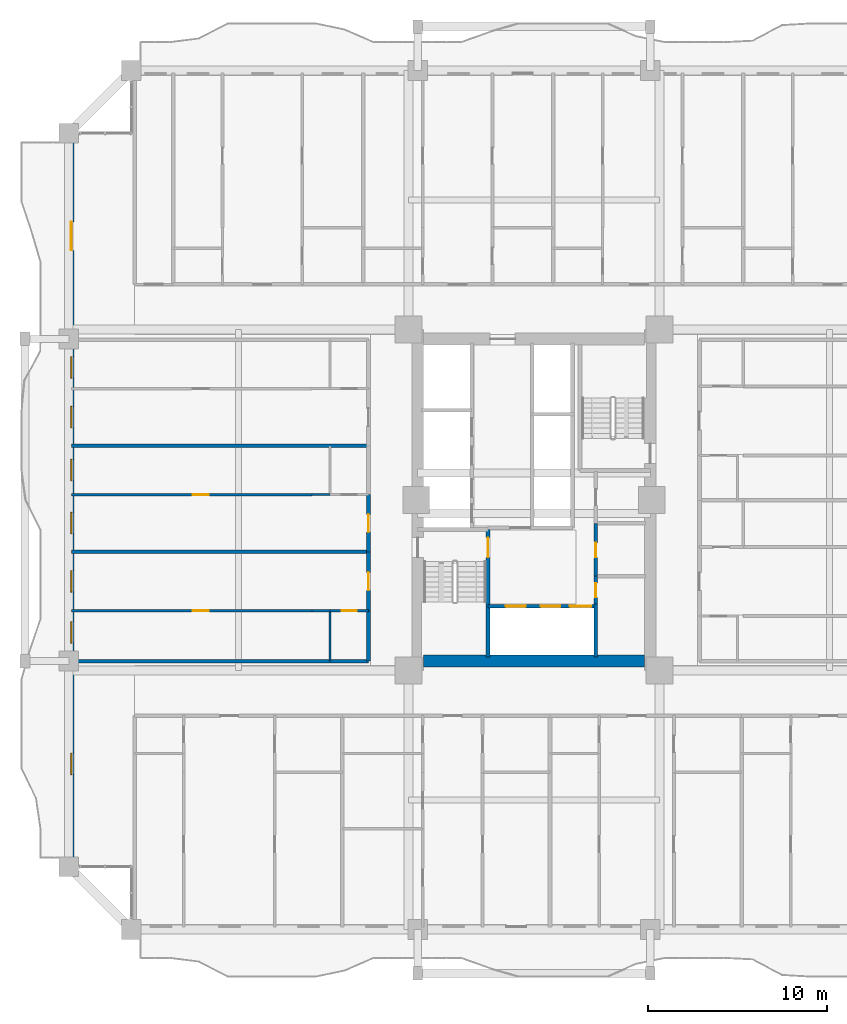
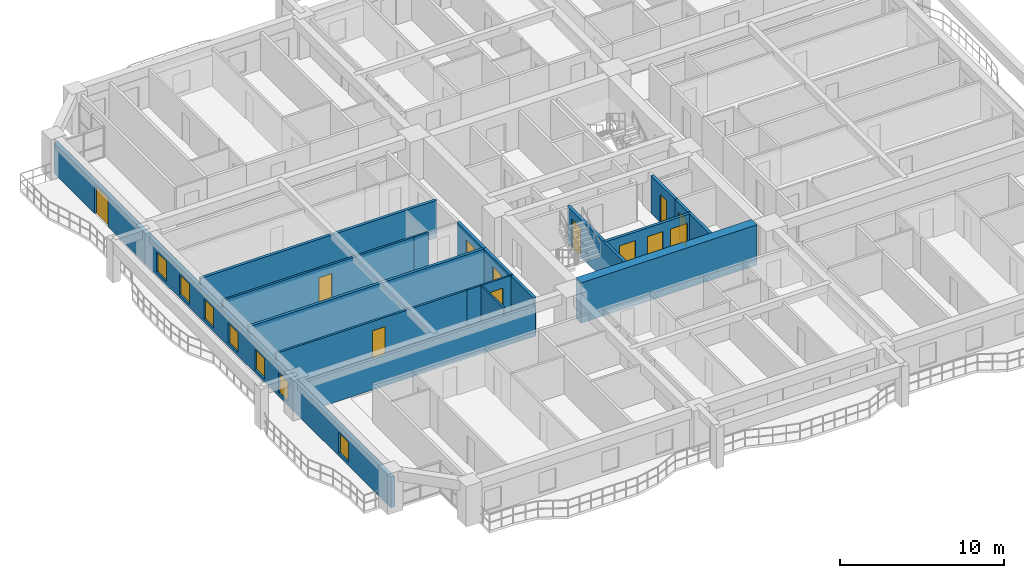
# One storey, part 15 of 27: 19 walls, 12 doors, 7 windows, 19 openings.
"""IFC4 building model written with IfcOpenShell, lengths in metres."""

from ifc_helpers import new_model, si_unit, direction, frame, frame_2d, origin, place, context, subcontext, project, spatial, rectangle, extrude, source, transform, mapped, material, layer, layer_set, type_object, element, fill, save


model = new_model("IFC4")

# Units and contexts
model_context = context("Model", 3, precision=1e-05, world=origin(), true_north=direction((0.0, 1.0)))
body_context = subcontext(model_context, "Body", "Model", "MODEL_VIEW")
ifc_project = project(units=[si_unit("LENGTHUNIT", "METRE"), si_unit("AREAUNIT", "SQUARE_METRE"), si_unit("VOLUMEUNIT", "CUBIC_METRE"), si_unit("PLANEANGLEUNIT", "RADIAN"), si_unit("MASSUNIT", "GRAM", prefix="KILO")], contexts=[model_context])

# Site, building, storey
site_placement = place(None, origin())
site = spatial("IfcSite", under=ifc_project, at=site_placement, CompositionType="ELEMENT")
building_placement = place(site_placement, origin())
building = spatial("IfcBuilding", under=site, at=building_placement, Name="Saelheon Loggia Tower", CompositionType="ELEMENT")
storey_placement = place(building_placement, frame((0.0, 0.0, 34.39990234375)))
storey = spatial("IfcBuildingStorey", under=building, at=storey_placement, Name="L10", CompositionType="ELEMENT", Elevation=34.39990234375)

# Wall
ifc_material_1 = material(Name="Concrete C60/75", Category="concrete")
ifc_layer_1 = layer(ifc_material_1, 0.64990234375)
ifc_layer_set_1 = layer_set([ifc_layer_1], Name="Concrete C60/75")
wall_type_1 = type_object("IfcWallType", Name="Wall_CoreShear_650", PredefinedType="SHEAR", material=ifc_layer_set_1)
wall_1_placement = place(storey_placement, frame((31.824951171875, 18.0, 0.0), z_axis=(0.0, 0.0, 1.0), x_axis=(1.0, 0.0, 0.0)))
element("IfcWall", 1, at=wall_1_placement, inside=storey, type_object=wall_type_1, Name="L10 Core Shear Wall South", PredefinedType="SHEAR", context=body_context, shape_type="SweptSolid", body=[
    extrude(rectangle(XDim=12.35009765625, YDim=0.64990234375, at=frame_2d((6.175048828125, 0.0))), origin(), (0.0, 0.0, 1.0), 3.0),
])

# Wall, openings, windows, door
ifc_material_2 = material(Name="Architectural Precast Concrete C40/50", Category="concrete")
ifc_layer_2 = layer(ifc_material_2, 0.280029296875)
ifc_layer_set_2 = layer_set([ifc_layer_2], Name="Architectural Precast Concrete C40/50")
wall_type_2 = type_object("IfcWallType", Name="Wall_Ext_Loggia_280", PredefinedType="SOLIDWALL", material=ifc_layer_set_2)
wall_2_placement = place(storey_placement, frame((12.139892578125, 6.5, 0.0), z_axis=(0.0, 0.0, 1.0), x_axis=(0.0, 1.0, 0.0)))
wall_2 = element("IfcWall", 2, at=wall_2_placement, inside=storey, type_object=wall_type_2, Name="L10 West Loggia Inner Wall", PredefinedType="SOLIDWALL", context=body_context, shape_type="SweptSolid", body=[
    extrude(rectangle(XDim=41.0, YDim=0.280029296875, at=frame_2d((20.5, 0.0))), origin(), (0.0, 0.0, 1.0), 2.280029296875),
])
opening_1_placement = place(wall_2_placement, frame((5.14990234375, 0.0, 0.25)))
opening_1 = element("IfcOpeningElement", 3, at=opening_1_placement, cuts=wall_2, Name="Opening WN-03", PredefinedType="OPENING", context=body_context, shape_type="SweptSolid", body=[
    extrude(rectangle(XDim=1.199951171875, YDim=1.5, at=frame_2d((0.60009765625, 0.75))), frame((0.0, 0.152099609375, 0.0), z_axis=(0.0, -1.0, 0.0), x_axis=(1.0, 0.0, 0.0)), (0.0, 0.0, 1.0), 0.303955078125),
])
opening_2_placement = place(wall_2_placement, frame((12.498779296875, 0.0, 0.25)))
opening_2 = element("IfcOpeningElement", 4, at=opening_2_placement, cuts=wall_2, Name="Opening WN-03", PredefinedType="OPENING", context=body_context, shape_type="SweptSolid", body=[
    extrude(rectangle(XDim=1.199951171875, YDim=1.5, at=frame_2d((0.60009765625, 0.75))), frame((0.0, 0.152099609375, 0.0), z_axis=(0.0, -1.0, 0.0), x_axis=(1.0, 0.0, 0.0)), (0.0, 0.0, 1.0), 0.303955078125),
])
opening_3_placement = place(wall_2_placement, frame((15.355224609375, 0.0, 0.25)))
opening_3 = element("IfcOpeningElement", 5, at=opening_3_placement, cuts=wall_2, Name="Opening WN-03", PredefinedType="OPENING", context=body_context, shape_type="SweptSolid", body=[
    extrude(rectangle(XDim=1.199951171875, YDim=1.5, at=frame_2d((0.60009765625, 0.75))), frame((0.0, 0.152099609375, 0.0), z_axis=(0.0, -1.0, 0.0), x_axis=(1.0, 0.0, 0.0)), (0.0, 0.0, 1.0), 0.303955078125),
])
opening_4_placement = place(wall_2_placement, frame((18.602294921875, 0.0, 0.25)))
opening_4 = element("IfcOpeningElement", 6, at=opening_4_placement, cuts=wall_2, Name="Opening WN-03", PredefinedType="OPENING", context=body_context, shape_type="SweptSolid", body=[
    extrude(rectangle(XDim=1.199951171875, YDim=1.5, at=frame_2d((0.60009765625, 0.75))), frame((0.0, 0.152099609375, 0.0), z_axis=(0.0, -1.0, 0.0), x_axis=(1.0, 0.0, 0.0)), (0.0, 0.0, 1.0), 0.303955078125),
])
opening_5_placement = place(wall_2_placement, frame((21.564208984375, 0.0, 0.25)))
opening_5 = element("IfcOpeningElement", 7, at=opening_5_placement, cuts=wall_2, Name="Opening WN-03", PredefinedType="OPENING", context=body_context, shape_type="SweptSolid", body=[
    extrude(rectangle(XDim=1.199951171875, YDim=1.5, at=frame_2d((0.60009765625, 0.75))), frame((0.0, 0.152099609375, 0.0), z_axis=(0.0, -1.0, 0.0), x_axis=(1.0, 0.0, 0.0)), (0.0, 0.0, 1.0), 0.303955078125),
])
opening_6_placement = place(wall_2_placement, frame((24.52587890625, 0.0, 0.25)))
opening_6 = element("IfcOpeningElement", 8, at=opening_6_placement, cuts=wall_2, Name="Opening WN-03", PredefinedType="OPENING", context=body_context, shape_type="SweptSolid", body=[
    extrude(rectangle(XDim=1.199951171875, YDim=1.5, at=frame_2d((0.60009765625, 0.75))), frame((0.0, 0.152099609375, 0.0), z_axis=(0.0, -1.0, 0.0), x_axis=(1.0, 0.0, 0.0)), (0.0, 0.0, 1.0), 0.303955078125),
])
opening_7_placement = place(wall_2_placement, frame((27.317626953125, 0.0, 0.25)))
opening_7 = element("IfcOpeningElement", 9, at=opening_7_placement, cuts=wall_2, Name="Opening WN-03", PredefinedType="OPENING", context=body_context, shape_type="SweptSolid", body=[
    extrude(rectangle(XDim=1.199951171875, YDim=1.5, at=frame_2d((0.60009765625, 0.75))), frame((0.0, 0.152099609375, 0.0), z_axis=(0.0, -1.0, 0.0), x_axis=(1.0, 0.0, 0.0)), (0.0, 0.0, 1.0), 0.303955078125),
])
opening_8_placement = place(wall_2_placement, frame((34.449951171875, 0.0, 0.0)))
opening_8 = element("IfcOpeningElement", 10, at=opening_8_placement, cuts=wall_2, Name="Opening DLG-1", PredefinedType="OPENING", context=body_context, shape_type="SweptSolid", body=[
    extrude(rectangle(XDim=1.60009765625, YDim=2.14990234375, at=frame_2d((0.800048828125, 1.074951171875))), frame((0.0, 0.152099609375, 0.0), z_axis=(0.0, -1.0, 0.0), x_axis=(1.0, 0.0, 0.0)), (0.0, 0.0, 1.0), 0.303955078125),
])
ifc_material_3 = material(Name="Thermal-Break Aluminium and Triple Low-E Glass", Category="aluminium")
window_type = type_object("IfcWindowType", Name="Win_Bedroom_1200x1500", PartitioningType="SINGLE_PANEL", PredefinedType="WINDOW", material=ifc_material_3)
shared_shape_1 = source(origin(), body_context, "Body", "SweptSolid", [
    extrude(rectangle(XDim=1.199951171875, YDim=1.5, at=frame_2d((0.60009765625, 0.75))), frame((0.0, 0.030029296875, 0.0), z_axis=(0.0, -1.0, 0.0), x_axis=(1.0, 0.0, 0.0)), (0.0, 0.0, 1.0), 0.06005859375),
])
window_1_placement = place(opening_1_placement, origin())
window_1 = element("IfcWindow", 11, at=window_1_placement, inside=storey, type_object=window_type, Name="L10 W Dwelling Window 1", OverallHeight=1.5, OverallWidth=1.199951171875, PartitioningType="SINGLE_PANEL", PredefinedType="WINDOW", context=body_context, shape_type="MappedRepresentation", body=[
    mapped(shared_shape_1, transform((0.0, 0.0, 0.0), scale=1.0)),
])
fill(opening_1, window_1)
window_2_placement = place(opening_2_placement, origin())
window_2 = element("IfcWindow", 12, at=window_2_placement, inside=storey, type_object=window_type, Name="L10 W Dwelling Window 2", OverallHeight=1.5, OverallWidth=1.199951171875, PartitioningType="SINGLE_PANEL", PredefinedType="WINDOW", context=body_context, shape_type="MappedRepresentation", body=[
    mapped(shared_shape_1, transform((0.0, 0.0, 0.0), scale=1.0)),
])
fill(opening_2, window_2)
window_3_placement = place(opening_3_placement, origin())
window_3 = element("IfcWindow", 13, at=window_3_placement, inside=storey, type_object=window_type, Name="L10 W Dwelling Window 3", OverallHeight=1.5, OverallWidth=1.199951171875, PartitioningType="SINGLE_PANEL", PredefinedType="WINDOW", context=body_context, shape_type="MappedRepresentation", body=[
    mapped(shared_shape_1, transform((0.0, 0.0, 0.0), scale=1.0)),
])
fill(opening_3, window_3)
window_4_placement = place(opening_4_placement, origin())
window_4 = element("IfcWindow", 14, at=window_4_placement, inside=storey, type_object=window_type, Name="L10 W Dwelling Window 4", OverallHeight=1.5, OverallWidth=1.199951171875, PartitioningType="SINGLE_PANEL", PredefinedType="WINDOW", context=body_context, shape_type="MappedRepresentation", body=[
    mapped(shared_shape_1, transform((0.0, 0.0, 0.0), scale=1.0)),
])
fill(opening_4, window_4)
window_5_placement = place(opening_5_placement, origin())
window_5 = element("IfcWindow", 15, at=window_5_placement, inside=storey, type_object=window_type, Name="L10 W Dwelling Window 5", OverallHeight=1.5, OverallWidth=1.199951171875, PartitioningType="SINGLE_PANEL", PredefinedType="WINDOW", context=body_context, shape_type="MappedRepresentation", body=[
    mapped(shared_shape_1, transform((0.0, 0.0, 0.0), scale=1.0)),
])
fill(opening_5, window_5)
window_6_placement = place(opening_6_placement, origin())
window_6 = element("IfcWindow", 16, at=window_6_placement, inside=storey, type_object=window_type, Name="L10 W Dwelling Window 6", OverallHeight=1.5, OverallWidth=1.199951171875, PartitioningType="SINGLE_PANEL", PredefinedType="WINDOW", context=body_context, shape_type="MappedRepresentation", body=[
    mapped(shared_shape_1, transform((0.0, 0.0, 0.0), scale=1.0)),
])
fill(opening_6, window_6)
window_7_placement = place(opening_7_placement, origin())
window_7 = element("IfcWindow", 17, at=window_7_placement, inside=storey, type_object=window_type, Name="L10 W Dwelling Window 7", OverallHeight=1.5, OverallWidth=1.199951171875, PartitioningType="SINGLE_PANEL", PredefinedType="WINDOW", context=body_context, shape_type="MappedRepresentation", body=[
    mapped(shared_shape_1, transform((0.0, 0.0, 0.0), scale=1.0)),
])
fill(opening_7, window_7)
ifc_material_4 = material(Name="Thermal-Break Aluminium Sliding Glazed Door", Category="aluminium")
door_type_1 = type_object("IfcDoorType", Name="Door_LoggiaSlide_1600", OperationType="SLIDING_TO_LEFT", PredefinedType="DOOR", material=ifc_material_4)
shared_shape_2 = source(origin(), body_context, "Body", "SweptSolid", [
    extrude(rectangle(XDim=1.60009765625, YDim=2.14990234375, at=frame_2d((0.800048828125, 1.074951171875))), frame((0.0, 0.02490234375, 0.0), z_axis=(0.0, -1.0, 0.0), x_axis=(1.0, 0.0, 0.0)), (0.0, 0.0, 1.0), 0.050048828125),
])
door_1_placement = place(opening_8_placement, origin())
door_1 = element("IfcDoor", 18, at=door_1_placement, inside=storey, type_object=door_type_1, Name="L10 W Loggia Access Door", OperationType="SLIDING_TO_LEFT", OverallHeight=2.14990234375, OverallWidth=1.60009765625, PredefinedType="DOOR", context=body_context, shape_type="MappedRepresentation", body=[
    mapped(shared_shape_2, transform((0.0, 0.0, 0.0), scale=1.0)),
])
fill(opening_8, door_1)

# Wall, opening, door
ifc_material_5 = material(Name="Lightweight Autoclaved Aerated Concrete Block and Acoustic Gypsum", Category="concrete")
ifc_layer_3 = layer(ifc_material_5, 0.14990234375)
ifc_layer_set_3 = layer_set([ifc_layer_3], Name="Lightweight Autoclaved Aerated Concrete Block and Acoustic Gypsum")
wall_type_3 = type_object("IfcWallType", Name="Wall_Part_150", PredefinedType="PARTITIONING", material=ifc_layer_set_3)
wall_3_placement = place(storey_placement, frame((25.580078125, 20.807373046875, 0.0), z_axis=(0.0, 0.0, 1.0), x_axis=(-1.0, 0.0, 0.0)))
wall_3 = element("IfcWall", 19, at=wall_3_placement, inside=storey, type_object=wall_type_3, Name="L10 W Partition U08", PredefinedType="PARTITIONING", context=body_context, shape_type="SweptSolid", body=[
    extrude(rectangle(XDim=13.43017578125, YDim=0.14990234375, at=frame_2d((6.715087890625, 0.0))), origin(), (0.0, 0.0, 1.0), 2.7900390625),
])
opening_9_placement = place(wall_3_placement, frame((5.762939453125, 0.0, 0.0)))
opening_9 = element("IfcOpeningElement", 20, at=opening_9_placement, cuts=wall_3, Name="Opening D-IN2", PredefinedType="OPENING", context=body_context, shape_type="SweptSolid", body=[
    extrude(rectangle(XDim=0.89990234375, YDim=2.10009765625, at=frame_2d((0.449951171875, 1.050048828125))), frame((0.0, 0.0869140625, 0.0), z_axis=(0.0, -1.0, 0.0), x_axis=(1.0, 0.0, 0.0)), (0.0, 0.0, 1.0), 0.173828125),
])
ifc_material_6 = material(Name="Engineered Oak Flush Door", Category="timber")
door_type_2 = type_object("IfcDoorType", Name="Door_Int_900", OperationType="NOTDEFINED", PredefinedType="DOOR", material=ifc_material_6)
shared_shape_3 = source(origin(), body_context, "Body", "SweptSolid", [
    extrude(rectangle(XDim=0.89990234375, YDim=2.10009765625, at=frame_2d((0.449951171875, 1.050048828125))), frame((0.0, 0.02490234375, 0.0), z_axis=(0.0, -1.0, 0.0), x_axis=(1.0, 0.0, 0.0)), (0.0, 0.0, 1.0), 0.050048828125),
])
door_2_placement = place(opening_9_placement, origin())
door_2 = element("IfcDoor", 21, at=door_2_placement, inside=storey, type_object=door_type_2, Name="Unit U09 Kitchen Door", OperationType="SINGLE_SWING_LEFT", OverallHeight=2.10009765625, OverallWidth=0.89990234375, PredefinedType="DOOR", context=body_context, shape_type="MappedRepresentation", body=[
    mapped(shared_shape_3, transform((0.0, 0.0, 0.0), scale=1.0)),
])
fill(opening_9, door_2)

wall_4_placement = place(storey_placement, frame((25.580078125, 27.3017578125, 0.0), z_axis=(0.0, 0.0, 1.0), x_axis=(-1.0, 0.0, 0.0)))
wall_4 = element("IfcWall", 22, at=wall_4_placement, inside=storey, type_object=wall_type_3, Name="L10 W Partition U15", PredefinedType="PARTITIONING", context=body_context, shape_type="SweptSolid", body=[
    extrude(rectangle(XDim=13.43017578125, YDim=0.14990234375, at=frame_2d((6.715087890625, 0.0))), origin(), (0.0, 0.0, 1.0), 2.7900390625),
])
opening_10_placement = place(wall_4_placement, frame((5.762939453125, 0.0, 0.0)))
opening_10 = element("IfcOpeningElement", 23, at=opening_10_placement, cuts=wall_4, Name="Opening D-IN2", PredefinedType="OPENING", context=body_context, shape_type="SweptSolid", body=[
    extrude(rectangle(XDim=0.89990234375, YDim=2.10009765625, at=frame_2d((0.449951171875, 1.050048828125))), frame((0.0, 0.0869140625, 0.0), z_axis=(0.0, -1.0, 0.0), x_axis=(1.0, 0.0, 0.0)), (0.0, 0.0, 1.0), 0.173828125),
])
door_3_placement = place(opening_10_placement, origin())
door_3 = element("IfcDoor", 24, at=door_3_placement, inside=storey, type_object=door_type_2, Name="Unit U10 Kitchen Door", OperationType="SINGLE_SWING_RIGHT", OverallHeight=2.10009765625, OverallWidth=0.89990234375, PredefinedType="DOOR", context=body_context, shape_type="MappedRepresentation", body=[
    mapped(shared_shape_3, transform((0.0, 0.0, 0.0), scale=1.0)),
])
fill(opening_10, door_3)

# Walls
ifc_material_7 = material(Name="Double Acoustic Stud and Fireboard Partition", Category="gypsum")
ifc_layer_4 = layer(ifc_material_7, 0.199951171875)
ifc_layer_set_4 = layer_set([ifc_layer_4], Name="Double Acoustic Stud and Fireboard Partition")
wall_type_4 = type_object("IfcWallType", Name="Wall_Party_200", PredefinedType="PARTITIONING", material=ifc_layer_set_4)
wall_5_placement = place(storey_placement, frame((28.75, 18.0, 0.0), z_axis=(0.0, 0.0, 1.0), x_axis=(-1.0, 0.0, 0.0)))
element("IfcWall", 25, at=wall_5_placement, inside=storey, type_object=wall_type_4, Name="L10 W Partition U01", PredefinedType="PARTITIONING", context=body_context, shape_type="SweptSolid", body=[
    extrude(rectangle(XDim=16.60009765625, YDim=0.199951171875, at=frame_2d((8.300048828125, 0.0))), origin(), (0.0, 0.0, 1.0), 2.239990234375),
])
wall_6_placement = place(storey_placement, frame((28.75, 18.0, 0.0), z_axis=(0.0, 0.0, 1.0), x_axis=(0.0, 1.0, 0.0)))
element("IfcWall", 26, at=wall_6_placement, inside=storey, type_object=wall_type_4, Name="L10 W Partition V03", PredefinedType="PARTITIONING", context=body_context, shape_type="SweptSolid", body=[
    extrude(rectangle(XDim=2.807373046875, YDim=0.199951171875, at=frame_2d((1.40380859375, 0.0))), origin(), (0.0, 0.0, 1.0), 2.7900390625),
])

# Wall, opening, door
wall_7_placement = place(storey_placement, frame((28.75, 20.807373046875, 0.0), z_axis=(0.0, 0.0, 1.0), x_axis=(0.0, 1.0, 0.0)))
wall_7 = element("IfcWall", 27, at=wall_7_placement, inside=storey, type_object=wall_type_4, Name="L10 W Partition V04", PredefinedType="PARTITIONING", context=body_context, shape_type="SweptSolid", body=[
    extrude(rectangle(XDim=3.295654296875, YDim=0.199951171875, at=frame_2d((1.64794921875, 0.0))), origin(), (0.0, 0.0, 1.0), 2.7900390625),
])
opening_11_placement = place(wall_7_placement, frame((1.147705078125, 0.0, 0.0)))
opening_11 = element("IfcOpeningElement", 28, at=opening_11_placement, cuts=wall_7, Name="Opening D-FD1", PredefinedType="OPENING", context=body_context, shape_type="SweptSolid", body=[
    extrude(rectangle(XDim=1.0, YDim=2.14990234375, at=frame_2d((0.5, 1.074951171875))), frame((0.0, 0.112060546875, 0.0), z_axis=(0.0, -1.0, 0.0), x_axis=(1.0, 0.0, 0.0)), (0.0, 0.0, 1.0), 0.223876953125),
])
ifc_material_8 = material(Name="Fire-Rated Engineered Timber Entrance Door", Category="wood")
door_type_3 = type_object("IfcDoorType", Name="Door_Flat_FD30S", OperationType="NOTDEFINED", PredefinedType="DOOR", material=ifc_material_8)
shared_shape_4 = source(origin(), body_context, "Body", "SweptSolid", [
    extrude(rectangle(XDim=1.0, YDim=2.14990234375, at=frame_2d((0.5, 1.074951171875))), frame((0.0, 0.02490234375, 0.0), z_axis=(0.0, -1.0, 0.0), x_axis=(1.0, 0.0, 0.0)), (0.0, 0.0, 1.0), 0.050048828125),
])
door_4_placement = place(opening_11_placement, origin())
door_4 = element("IfcDoor", 29, at=door_4_placement, inside=storey, type_object=door_type_3, Name="Unit U09 Entrance Door", OperationType="SINGLE_SWING_LEFT", OverallHeight=2.14990234375, OverallWidth=1.0, PredefinedType="DOOR", context=body_context, shape_type="MappedRepresentation", body=[
    mapped(shared_shape_4, transform((0.0, 0.0, 0.0), scale=1.0)),
])
fill(opening_11, door_4)

# Wall
wall_8_placement = place(storey_placement, frame((28.75, 24.10302734375, 0.0), z_axis=(0.0, 0.0, 1.0), x_axis=(-1.0, 0.0, 0.0)))
element("IfcWall", 30, at=wall_8_placement, inside=storey, type_object=wall_type_4, Name="L10 W Partition U09", PredefinedType="PARTITIONING", context=body_context, shape_type="SweptSolid", body=[
    extrude(rectangle(XDim=16.60009765625, YDim=0.199951171875, at=frame_2d((8.300048828125, 0.0))), origin(), (0.0, 0.0, 1.0), 2.7900390625),
])

# Wall, opening, door
wall_9_placement = place(storey_placement, frame((28.75, 24.10302734375, 0.0), z_axis=(0.0, 0.0, 1.0), x_axis=(0.0, 1.0, 0.0)))
wall_9 = element("IfcWall", 31, at=wall_9_placement, inside=storey, type_object=wall_type_4, Name="L10 W Partition V10", PredefinedType="PARTITIONING", context=body_context, shape_type="SweptSolid", body=[
    extrude(rectangle(XDim=3.19873046875, YDim=0.199951171875, at=frame_2d((1.599365234375, 0.0))), origin(), (0.0, 0.0, 1.0), 2.7900390625),
])
opening_12_placement = place(wall_9_placement, frame((1.099365234375, 0.0, 0.0)))
opening_12 = element("IfcOpeningElement", 32, at=opening_12_placement, cuts=wall_9, Name="Opening D-FD1", PredefinedType="OPENING", context=body_context, shape_type="SweptSolid", body=[
    extrude(rectangle(XDim=1.0, YDim=2.14990234375, at=frame_2d((0.5, 1.074951171875))), frame((0.0, 0.112060546875, 0.0), z_axis=(0.0, -1.0, 0.0), x_axis=(1.0, 0.0, 0.0)), (0.0, 0.0, 1.0), 0.223876953125),
])
door_5_placement = place(opening_12_placement, origin())
door_5 = element("IfcDoor", 33, at=door_5_placement, inside=storey, type_object=door_type_3, Name="Unit U10 Entrance Door", OperationType="SINGLE_SWING_RIGHT", OverallHeight=2.14990234375, OverallWidth=1.0, PredefinedType="DOOR", context=body_context, shape_type="MappedRepresentation", body=[
    mapped(shared_shape_4, transform((0.0, 0.0, 0.0), scale=1.0)),
])
fill(opening_12, door_5)

# Walls
wall_10_placement = place(storey_placement, frame((28.75, 30.026611328125, 0.0), z_axis=(0.0, 0.0, 1.0), x_axis=(-1.0, 0.0, 0.0)))
element("IfcWall", 34, at=wall_10_placement, inside=storey, type_object=wall_type_4, Name="L10 W Partition U16", PredefinedType="PARTITIONING", context=body_context, shape_type="SweptSolid", body=[
    extrude(rectangle(XDim=16.60009765625, YDim=0.199951171875, at=frame_2d((8.300048828125, 0.0))), origin(), (0.0, 0.0, 1.0), 2.7900390625),
])
ifc_material_9 = material(Name="Concrete C40/50", Category="concrete")
ifc_layer_5 = layer(ifc_material_9, 0.199951171875)
ifc_layer_set_5 = layer_set([ifc_layer_5], Name="Concrete C40/50")
wall_type_5 = type_object("IfcWallType", Name="Wall_Shaft_200", PredefinedType="PARTITIONING", material=ifc_layer_set_5)
wall_11_placement = place(storey_placement, frame((41.449951171875, 18.219970703125, 0.0), z_axis=(0.0, 0.0, 1.0), x_axis=(0.0, 1.0, 0.0)))
element("IfcWall", 35, at=wall_11_placement, inside=storey, type_object=wall_type_5, Name="CW-INT-L10-BOH-W0", PredefinedType="PARTITIONING", context=body_context, shape_type="SweptSolid", body=[
    extrude(rectangle(XDim=2.9599609375, YDim=0.199951171875, at=frame_2d((1.47998046875, 0.0))), origin(), (0.0, 0.0, 1.0), 2.7900390625),
])

# Wall, opening, door
wall_12_placement = place(storey_placement, frame((41.449951171875, 21.179931640625, 0.0), z_axis=(0.0, 0.0, 1.0), x_axis=(0.0, 1.0, 0.0)))
wall_12 = element("IfcWall", 36, at=wall_12_placement, inside=storey, type_object=wall_type_5, Name="CW-INT-L10-BOH-W1", PredefinedType="PARTITIONING", context=body_context, shape_type="SweptSolid", body=[
    extrude(rectangle(XDim=1.570068359375, YDim=0.199951171875, at=frame_2d((0.78515625, 0.0))), origin(), (0.0, 0.0, 1.0), 2.7900390625),
])
opening_13_placement = place(wall_12_placement, frame((0.3798828125, 0.0, 0.0)))
opening_13 = element("IfcOpeningElement", 37, at=opening_13_placement, cuts=wall_12, Name="Opening D-ST1", PredefinedType="OPENING", context=body_context, shape_type="SweptSolid", body=[
    extrude(rectangle(XDim=0.800048828125, YDim=2.050048828125, at=frame_2d((0.39990234375, 1.02490234375))), frame((0.0, 0.112060546875, 0.0), z_axis=(0.0, -1.0, 0.0), x_axis=(1.0, 0.0, 0.0)), (0.0, 0.0, 1.0), 0.223876953125),
])
ifc_material_10 = material(Name="Powder-Coated Steel Store Door", Category="steel")
door_type_4 = type_object("IfcDoorType", Name="Door_Store_800", OperationType="NOTDEFINED", PredefinedType="DOOR", material=ifc_material_10)
shared_shape_5 = source(origin(), body_context, "Body", "SweptSolid", [
    extrude(rectangle(XDim=0.800048828125, YDim=2.050048828125, at=frame_2d((0.39990234375, 1.02490234375))), frame((0.0, 0.02490234375, 0.0), z_axis=(0.0, -1.0, 0.0), x_axis=(1.0, 0.0, 0.0)), (0.0, 0.0, 1.0), 0.050048828125),
])
door_6_placement = place(opening_13_placement, origin())
door_6 = element("IfcDoor", 38, at=door_6_placement, inside=storey, type_object=door_type_4, Name="L10 Cleaner Store Door", OperationType="SINGLE_SWING_RIGHT", OverallHeight=2.050048828125, OverallWidth=0.800048828125, PredefinedType="DOOR", context=body_context, shape_type="MappedRepresentation", body=[
    mapped(shared_shape_5, transform((0.0, 0.0, 0.0), scale=1.0)),
])
fill(opening_13, door_6)

wall_13_placement = place(storey_placement, frame((41.449951171875, 22.75, 0.0), z_axis=(0.0, 0.0, 1.0), x_axis=(0.0, 1.0, 0.0)))
wall_13 = element("IfcWall", 39, at=wall_13_placement, inside=storey, type_object=wall_type_5, Name="CW-INT-L10-BOH-W2", PredefinedType="PARTITIONING", context=body_context, shape_type="SweptSolid", body=[
    extrude(rectangle(XDim=2.949951171875, YDim=0.199951171875, at=frame_2d((1.47509765625, 0.0))), origin(), (0.0, 0.0, 1.0), 2.7900390625),
])
opening_14_placement = place(wall_13_placement, frame((1.050048828125, 0.0, 0.0)))
opening_14 = element("IfcOpeningElement", 40, at=opening_14_placement, cuts=wall_13, Name="Opening D-ST1", PredefinedType="OPENING", context=body_context, shape_type="SweptSolid", body=[
    extrude(rectangle(XDim=0.800048828125, YDim=2.050048828125, at=frame_2d((0.39990234375, 1.02490234375))), frame((0.0, 0.112060546875, 0.0), z_axis=(0.0, -1.0, 0.0), x_axis=(1.0, 0.0, 0.0)), (0.0, 0.0, 1.0), 0.223876953125),
])
door_7_placement = place(opening_14_placement, origin())
door_7 = element("IfcDoor", 41, at=door_7_placement, inside=storey, type_object=door_type_4, Name="L10 Electrical Riser Door", OperationType="SINGLE_SWING_LEFT", OverallHeight=2.050048828125, OverallWidth=0.800048828125, PredefinedType="DOOR", context=body_context, shape_type="MappedRepresentation", body=[
    mapped(shared_shape_5, transform((0.0, 0.0, 0.0), scale=1.0)),
])
fill(opening_14, door_7)

# Wall, openings, doors
wall_14_placement = place(storey_placement, frame((35.429931640625, 21.06005859375, 0.0), z_axis=(0.0, 0.0, 1.0), x_axis=(1.0, 0.0, 0.0)))
wall_14 = element("IfcWall", 42, at=wall_14_placement, inside=storey, type_object=wall_type_5, Name="L10 Firefighting Lift Shaft Front Wall", PredefinedType="PARTITIONING", context=body_context, shape_type="SweptSolid", body=[
    extrude(rectangle(XDim=6.02001953125, YDim=0.199951171875, at=frame_2d((3.010009765625, 0.0))), origin(), (0.0, 0.0, 1.0), 2.7900390625),
])
opening_15_placement = place(wall_14_placement, frame((1.0, 0.0, 0.0)))
opening_15 = element("IfcOpeningElement", 43, at=opening_15_placement, cuts=wall_14, Name="Opening LD2", PredefinedType="OPENING", context=body_context, shape_type="SweptSolid", body=[
    extrude(rectangle(XDim=1.10009765625, YDim=2.14990234375, at=frame_2d((0.550048828125, 1.074951171875))), frame((0.0, 0.112060546875, 0.0), z_axis=(0.0, -1.0, 0.0), x_axis=(1.0, 0.0, 0.0)), (0.0, 0.0, 1.0), 0.223876953125),
])
opening_16_placement = place(wall_14_placement, frame((2.949951171875, 0.0, 0.0)))
opening_16 = element("IfcOpeningElement", 44, at=opening_16_placement, cuts=wall_14, Name="Opening LD2", PredefinedType="OPENING", context=body_context, shape_type="SweptSolid", body=[
    extrude(rectangle(XDim=1.10009765625, YDim=2.14990234375, at=frame_2d((0.550048828125, 1.074951171875))), frame((0.0, 0.112060546875, 0.0), z_axis=(0.0, -1.0, 0.0), x_axis=(1.0, 0.0, 0.0)), (0.0, 0.0, 1.0), 0.223876953125),
])
opening_17_placement = place(wall_14_placement, frame((4.580078125, 0.0, 0.0)))
opening_17 = element("IfcOpeningElement", 45, at=opening_17_placement, cuts=wall_14, Name="Opening LD3", PredefinedType="OPENING", context=body_context, shape_type="SweptSolid", body=[
    extrude(rectangle(XDim=1.199951171875, YDim=2.14990234375, at=frame_2d((0.60009765625, 1.074951171875))), frame((0.0, 0.112060546875, 0.0), z_axis=(0.0, -1.0, 0.0), x_axis=(1.0, 0.0, 0.0)), (0.0, 0.0, 1.0), 0.223876953125),
])
ifc_material_11 = material(Name="Firefighting Stainless Steel 316 Landing Door", Category="steel")
door_type_5 = type_object("IfcDoorType", Name="Door_Lift_LD2", OperationType="DOUBLE_DOOR_SLIDING", PredefinedType="DOOR", material=ifc_material_11)
shared_shape_6 = source(origin(), body_context, "Body", "SweptSolid", [
    extrude(rectangle(XDim=1.10009765625, YDim=2.14990234375, at=frame_2d((0.550048828125, 1.074951171875))), frame((0.0, 0.02490234375, 0.0), z_axis=(0.0, -1.0, 0.0), x_axis=(1.0, 0.0, 0.0)), (0.0, 0.0, 1.0), 0.050048828125),
])
door_8_placement = place(opening_15_placement, origin())
door_8 = element("IfcDoor", 46, at=door_8_placement, inside=storey, type_object=door_type_5, Name="L10 FF1 Landing Door", OperationType="DOUBLE_DOOR_SLIDING", OverallHeight=2.14990234375, OverallWidth=1.10009765625, PredefinedType="DOOR", context=body_context, shape_type="MappedRepresentation", body=[
    mapped(shared_shape_6, transform((0.0, 0.0, 0.0), scale=1.0)),
])
fill(opening_15, door_8)
door_9_placement = place(opening_16_placement, origin())
door_9 = element("IfcDoor", 47, at=door_9_placement, inside=storey, type_object=door_type_5, Name="L10 FF2 Landing Door", OperationType="DOUBLE_DOOR_SLIDING", OverallHeight=2.14990234375, OverallWidth=1.10009765625, PredefinedType="DOOR", context=body_context, shape_type="MappedRepresentation", body=[
    mapped(shared_shape_6, transform((0.0, 0.0, 0.0), scale=1.0)),
])
fill(opening_16, door_9)
ifc_material_12 = material(Name="Stretcher Lift Stainless Steel 304 Landing Door", Category="steel")
door_type_6 = type_object("IfcDoorType", Name="Door_Lift_LD3", OperationType="DOUBLE_DOOR_SLIDING", PredefinedType="DOOR", material=ifc_material_12)
shared_shape_7 = source(origin(), body_context, "Body", "SweptSolid", [
    extrude(rectangle(XDim=1.199951171875, YDim=2.14990234375, at=frame_2d((0.60009765625, 1.074951171875))), frame((0.0, 0.02490234375, 0.0), z_axis=(0.0, -1.0, 0.0), x_axis=(1.0, 0.0, 0.0)), (0.0, 0.0, 1.0), 0.050048828125),
])
door_10_placement = place(opening_17_placement, origin())
door_10 = element("IfcDoor", 48, at=door_10_placement, inside=storey, type_object=door_type_6, Name="L10 SV1 Landing Door", OperationType="DOUBLE_DOOR_SLIDING", OverallHeight=2.14990234375, OverallWidth=1.199951171875, PredefinedType="DOOR", context=body_context, shape_type="MappedRepresentation", body=[
    mapped(shared_shape_7, transform((0.0, 0.0, 0.0), scale=1.0)),
])
fill(opening_17, door_10)

# Wall, opening, door
ifc_material_13 = material(Name="Concrete C45/55", Category="concrete")
ifc_layer_6 = layer(ifc_material_13, 0.199951171875)
ifc_layer_set_6 = layer_set([ifc_layer_6], Name="Concrete C45/55")
wall_type_6 = type_object("IfcWallType", Name="Wall_StairShaft_RC200", PredefinedType="SOLIDWALL", material=ifc_layer_set_6)
wall_15_placement = place(storey_placement, frame((35.429931640625, 18.219970703125, 0.0), z_axis=(0.0, 0.0, 1.0), x_axis=(0.0, 1.0, 0.0)))
wall_15 = element("IfcWall", 49, at=wall_15_placement, inside=storey, type_object=wall_type_6, Name="L10 Stair ST1 Shaft Wall", PredefinedType="SOLIDWALL", context=body_context, shape_type="SweptSolid", body=[
    extrude(rectangle(XDim=7.219970703125, YDim=0.199951171875, at=frame_2d((3.60986328125, 0.0))), origin(), (0.0, 0.0, 1.0), 2.7900390625),
])
opening_18_placement = place(wall_15_placement, frame((6.68017578125, 0.0, 0.0), z_axis=(0.0, 0.0, 1.0), x_axis=(-1.0, 0.0, 0.0)))
opening_18 = element("IfcOpeningElement", 50, at=opening_18_placement, cuts=wall_15, Name="Opening D-FD2", PredefinedType="OPENING", context=body_context, shape_type="SweptSolid", body=[
    extrude(rectangle(XDim=1.10009765625, YDim=2.14990234375, at=frame_2d((0.550048828125, 1.074951171875))), frame((0.0, 0.112060546875, 0.0), z_axis=(0.0, -1.0, 0.0), x_axis=(1.0, 0.0, 0.0)), (0.0, 0.0, 1.0), 0.223876953125),
])
ifc_material_14 = material(Name="Galvanised Steel Fire Door", Category="steel")
door_type_7 = type_object("IfcDoorType", Name="Door_Fire_FD60_1100", OperationType="NOTDEFINED", PredefinedType="DOOR", material=ifc_material_14)
door_11_placement = place(opening_18_placement, origin())
door_11 = element("IfcDoor", 51, at=door_11_placement, inside=storey, type_object=door_type_7, Name="L10 Stair ST1 Lobby Door", OperationType="SINGLE_SWING_RIGHT", OverallHeight=2.14990234375, OverallWidth=1.10009765625, PredefinedType="DOOR", context=body_context, shape_type="MappedRepresentation", body=[
    mapped(shared_shape_6, transform((0.0, 0.0, 0.0), scale=1.0)),
])
fill(opening_18, door_11)

ifc_material_15 = material(Name="Moisture-Resistant Cement Board Partition", Category="gypsum")
ifc_layer_7 = layer(ifc_material_15, 0.1201171875)
ifc_layer_set_7 = layer_set([ifc_layer_7], Name="Moisture-Resistant Cement Board Partition")
wall_type_7 = type_object("IfcWallType", Name="Wall_WetPart_120", PredefinedType="PARTITIONING", material=ifc_layer_set_7)
wall_16_placement = place(storey_placement, frame((28.75, 20.807373046875, 0.0), z_axis=(0.0, 0.0, 1.0), x_axis=(-1.0, 0.0, 0.0)))
wall_16 = element("IfcWall", 52, at=wall_16_placement, inside=storey, type_object=wall_type_7, Name="L10 W Partition U05", PredefinedType="PARTITIONING", context=body_context, shape_type="SweptSolid", body=[
    extrude(rectangle(XDim=2.14990234375, YDim=0.1201171875, at=frame_2d((1.074951171875, 0.0))), origin(), (0.0, 0.0, 1.0), 2.7900390625),
])
opening_19_placement = place(wall_16_placement, frame((0.64990234375, 0.0, 0.0)))
opening_19 = element("IfcOpeningElement", 53, at=opening_19_placement, cuts=wall_16, Name="Opening D-BT1", PredefinedType="OPENING", context=body_context, shape_type="SweptSolid", body=[
    extrude(rectangle(XDim=0.85009765625, YDim=2.050048828125, at=frame_2d((0.425048828125, 1.02490234375))), frame((0.0, 0.072021484375, 0.0), z_axis=(0.0, -1.0, 0.0), x_axis=(1.0, 0.0, 0.0)), (0.0, 0.0, 1.0), 0.14404296875),
])
ifc_material_16 = material(Name="Moisture-Resistant Laminate Timber Door", Category="wood")
door_type_8 = type_object("IfcDoorType", Name="Door_Bath_850", OperationType="NOTDEFINED", PredefinedType="DOOR", material=ifc_material_16)
shared_shape_8 = source(origin(), body_context, "Body", "SweptSolid", [
    extrude(rectangle(XDim=0.85009765625, YDim=2.050048828125, at=frame_2d((0.425048828125, 1.02490234375))), frame((0.0, 0.02490234375, 0.0), z_axis=(0.0, -1.0, 0.0), x_axis=(1.0, 0.0, 0.0)), (0.0, 0.0, 1.0), 0.050048828125),
])
door_12_placement = place(opening_19_placement, origin())
door_12 = element("IfcDoor", 54, at=door_12_placement, inside=storey, type_object=door_type_8, Name="Unit U09 Bathroom Door", OperationType="SINGLE_SWING_RIGHT", OverallHeight=2.050048828125, OverallWidth=0.85009765625, PredefinedType="DOOR", context=body_context, shape_type="MappedRepresentation", body=[
    mapped(shared_shape_8, transform((0.0, 0.0, 0.0), scale=1.0)),
])
fill(opening_19, door_12)

# Walls
wall_17_placement = place(storey_placement, frame((26.60009765625, 20.807373046875, 0.0), z_axis=(0.0, 0.0, 1.0), x_axis=(-1.0, 0.0, 0.0)))
element("IfcWall", 55, at=wall_17_placement, inside=storey, type_object=wall_type_7, Name="L10 W Partition U06", PredefinedType="PARTITIONING", context=body_context, shape_type="SweptSolid", body=[
    extrude(rectangle(XDim=1.02001953125, YDim=0.1201171875, at=frame_2d((0.510009765625, 0.0))), origin(), (0.0, 0.0, 1.0), 2.7900390625),
])
wall_18_placement = place(storey_placement, frame((26.60009765625, 18.0, 0.0), z_axis=(0.0, 0.0, 1.0), x_axis=(0.0, 1.0, 0.0)))
element("IfcWall", 56, at=wall_18_placement, inside=storey, type_object=wall_type_7, Name="L10 W Partition V07", PredefinedType="PARTITIONING", context=body_context, shape_type="SweptSolid", body=[
    extrude(rectangle(XDim=2.807373046875, YDim=0.1201171875, at=frame_2d((1.40380859375, 0.0))), origin(), (0.0, 0.0, 1.0), 2.7900390625),
])
wall_19_placement = place(storey_placement, frame((26.60009765625, 27.3017578125, 0.0), z_axis=(0.0, 0.0, 1.0), x_axis=(-1.0, 0.0, 0.0)))
element("IfcWall", 57, at=wall_19_placement, inside=storey, type_object=wall_type_7, Name="L10 W Partition U13", PredefinedType="PARTITIONING", context=body_context, shape_type="SweptSolid", body=[
    extrude(rectangle(XDim=1.02001953125, YDim=0.1201171875, at=frame_2d((0.510009765625, 0.0))), origin(), (0.0, 0.0, 1.0), 2.7900390625),
])

save(model, "model.ifc")
